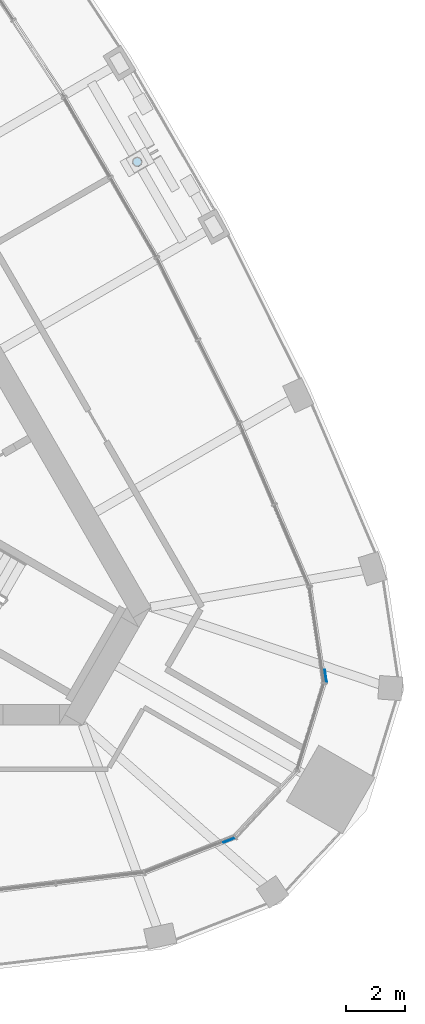
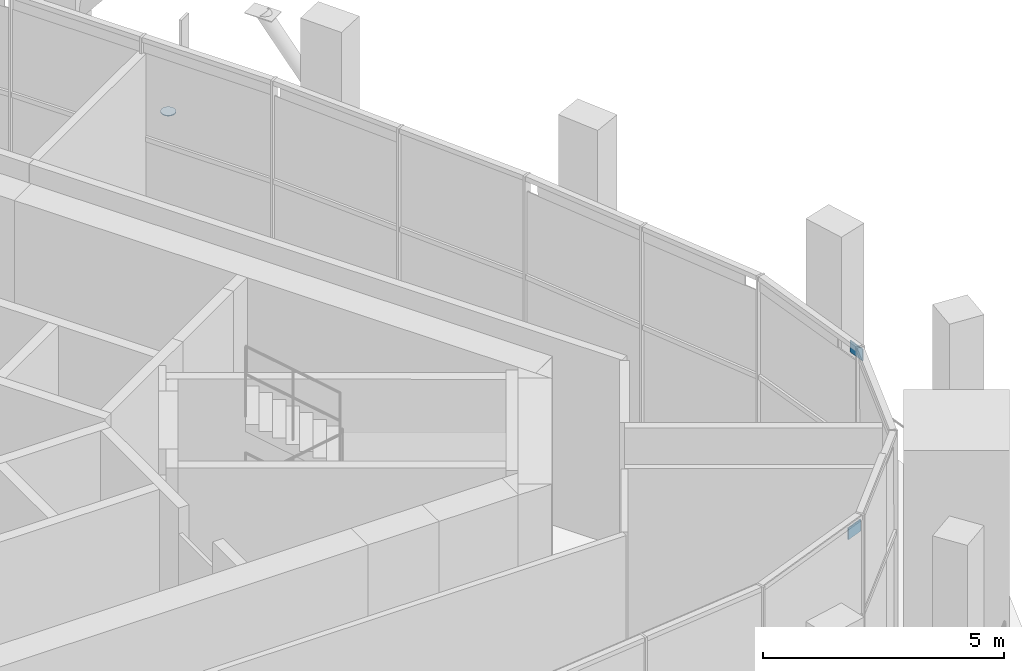
# One storey, part 11 of 23: 3 plates, 1 element without a shape of its own.
"""IFC4 building model written with IfcOpenShell, lengths in metres."""

from ifc_helpers import new_model, si_unit, direction, frame, origin, origin_2d, place, context, subcontext, project, spatial, polyline, circle, outline, extrude, material, layer, layer_set, material_profile, profile_set, type_object, element, aggregate, save


model = new_model("IFC4")

# Units and contexts
model_context = context("Model", 3, precision=1e-05, world=origin(), true_north=direction((0.0, 1.0)))
body_context = subcontext(model_context, "Body", "Model", "MODEL_VIEW")
ifc_project = project(units=[si_unit("LENGTHUNIT", "METRE"), si_unit("AREAUNIT", "SQUARE_METRE"), si_unit("VOLUMEUNIT", "CUBIC_METRE"), si_unit("PLANEANGLEUNIT", "RADIAN"), si_unit("MASSUNIT", "GRAM", prefix="KILO")], contexts=[model_context])

# Site, building, storey
site_placement = place(None, origin())
site = spatial("IfcSite", under=ifc_project, at=site_placement, CompositionType="ELEMENT")
building_placement = place(site_placement, origin())
building = spatial("IfcBuilding", under=site, at=building_placement, Name="Mestral Congress Tower", CompositionType="ELEMENT")
storey_placement = place(building_placement, frame((0.0, 0.0, 261.60009765625)))
storey = spatial("IfcBuildingStorey", under=building, at=storey_placement, Name="L61", CompositionType="ELEMENT", Elevation=261.60009765625)

# Curtain wall, plates
ifc_material_1 = material(Name="Clear low-emissivity double glazing", Category="glass")
curtain_wall_type = type_object("IfcCurtainWallType", Name="Facade control room curtain wall", PredefinedType="USERDEFINED", material=ifc_material_1)
curtain_wall_placement = place(storey_placement, origin())
curtain_wall = element("IfcCurtainWall", 1, at=curtain_wall_placement, inside=storey, type_object=curtain_wall_type, Name="Facade control room curtain wall corner 1", ObjectType="CURTAIN WALL", PredefinedType="USERDEFINED")
ifc_layer = layer(ifc_material_1, 0.028076171875)
ifc_layer_set = layer_set([ifc_layer], Name="Clear low-emissivity double glazing")
plate_type_1 = type_object("IfcPlateType", Name="Facade control room curtain wall panel", PredefinedType="CURTAIN_PANEL", material=ifc_layer_set)
plate_1_placement = place(storey_placement, frame((18.474609375, -14.197265625, 5.02978515625), z_axis=(0.365106846759, -0.930963760385, 0.001862068869), x_axis=(0.00083611894, -0.00167223788, -0.999998252261)))
plate_1 = element("IfcPlate", 2, at=plate_1_placement, type_object=plate_type_1, Name="Control room glass unit", PredefinedType="CURTAIN_PANEL", context=body_context, shape_type="SweptSolid", body=[
    extrude(outline(polyline([(0.0, 0.0), (0.2919926978269475, 6.776263578034403e-21), (0.29192288516154563, -0.4159199004194347), (-6.98126654018754e-05, -0.4159199004194347), (0.0, 0.0)])), origin(), (0.0, 0.0, -1.0), 0.028076171875),
])
plate_2_placement = place(storey_placement, frame((21.598388671875, -8.890869140625, 4.73779296875), z_axis=(0.988733798476, 0.149674751328, 0.001715974057), x_axis=(-0.001610369895, -0.000826753351, 0.999998361593)))
plate_2 = element("IfcPlate", 3, at=plate_2_placement, type_object=plate_type_1, Name="Control room glass unit", PredefinedType="CURTAIN_PANEL", context=body_context, shape_type="SweptSolid", body=[
    extrude(outline(polyline([(0.0, 0.0), (0.2919926972553171, 2.710505431213761e-20), (0.29175284494241455, -0.41606097116405005), (-0.00023965046882268445, -0.4158195807973802), (0.0, 0.0)])), origin(), (0.0, 0.0, -1.0), 0.028076171875),
])
aggregate(curtain_wall, [plate_1, plate_2])

# Plate
ifc_material_2 = material(Name="Steel S355", Category="steel")
ifc_material_profile = material_profile(ifc_material_2, circle(Radius=0.159912109375, at=origin_2d()), Name="Cap 320")
ifc_profile_set = profile_set([ifc_material_profile], Name="Steel S355")
plate_type_2 = type_object("IfcPlateType", Name="Slot turbine mast cap plate 320 x 20", PredefinedType="USERDEFINED", material=ifc_profile_set)
plate_3_placement = place(storey_placement, frame((15.157958984375, 8.75146484375, 2.579833984375), z_axis=(0.0, 0.0, 1.0), x_axis=(1.0, 0.0, 0.0)))
element("IfcPlate", 4, at=plate_3_placement, inside=storey, type_object=plate_type_2, Name="Turbine 2 mast cap plate", ObjectType="MAST CAP PLATE", PredefinedType="USERDEFINED", context=body_context, shape_type="SweptSolid", body=[
    extrude(circle(Radius=0.159912109375, at=origin_2d()), origin(), (0.0, 0.0, 1.0), 0.02001953125),
])

save(model, "model.ifc")
